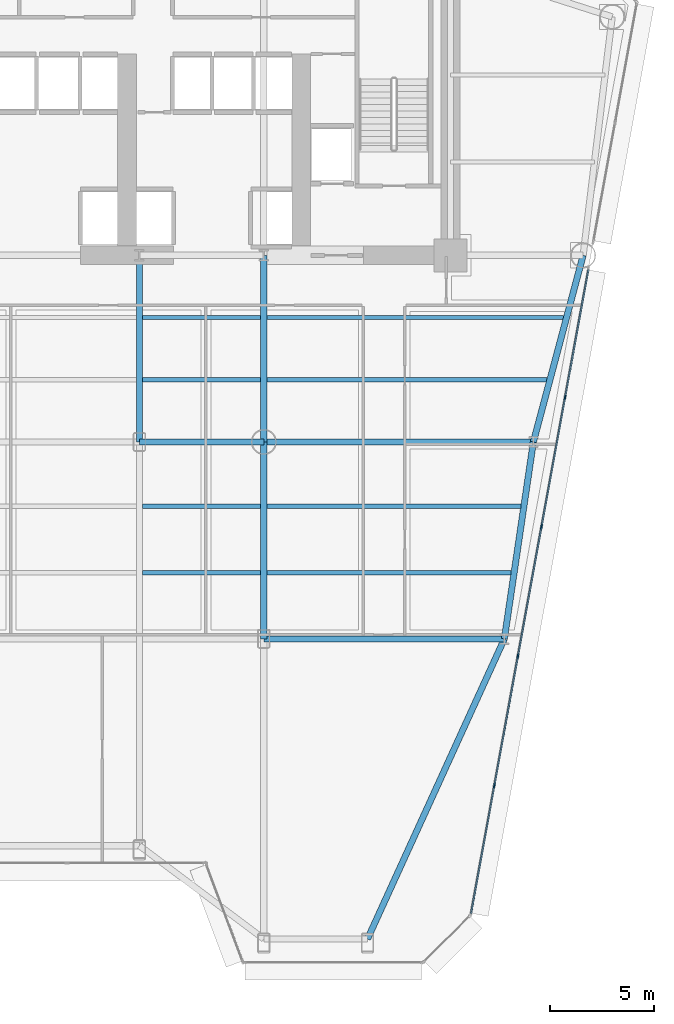
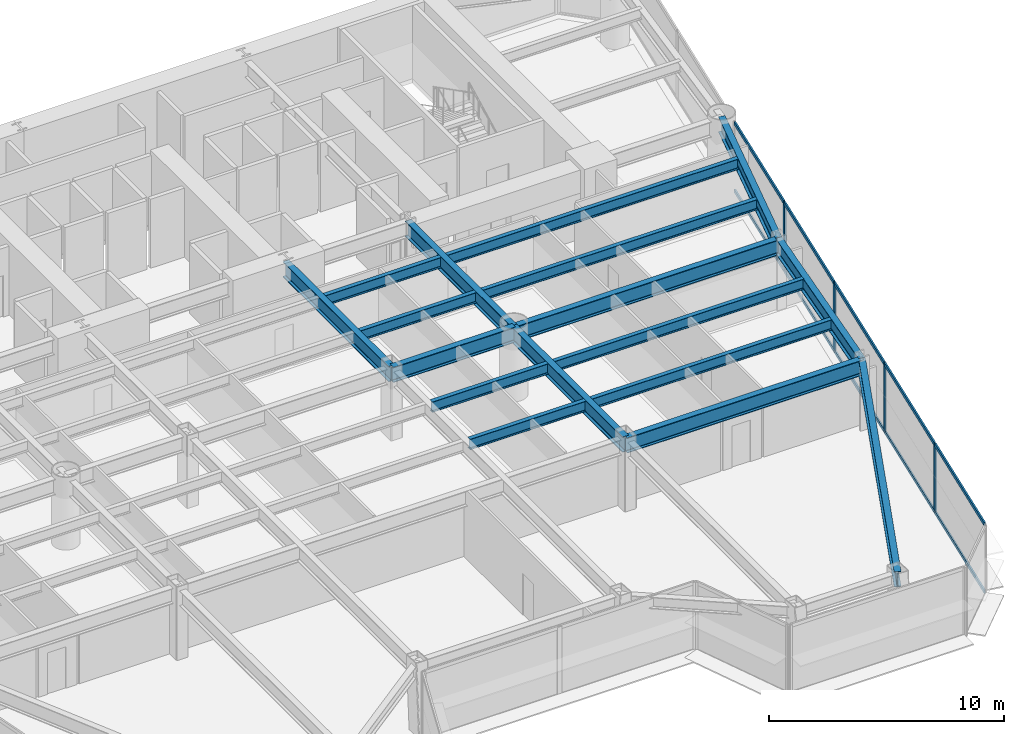
# One storey, part 4 of 14: 17 beams, 14 members, 1 element without a shape of its own.
"""IFC4 building model written with IfcOpenShell, lengths in metres."""

import ifcopenshell
import ifcopenshell.guid

model = None  # the IFC model being written
_history = None  # IfcOwnerHistory: only IFC2X3 demands one
_inside = {}  # id of a spatial element -> (the spatial element, [elements in it])
_under = {}  # id of a project, library or spatial element -> (it, [spatial elements below it])
_declared = {}  # id of a project -> (the project, [libraries it declares])
_typed = {}  # id of a type object -> (the type object, [elements of that type])
_made_of = {}  # id of a material, layer set ... -> (it, [elements and type objects made of it])


def new_model(schema):
    """Start an empty IFC model of exactly this schema.

    Asked for "IFC4X3", IfcOpenShell would pick the latest addendum, in which some entities
    have other attributes; the version numbers below select the first issue.
    IFC2X3 requires an IfcOwnerHistory on every rooted entity: one is made here for all.
    """
    global model, _history
    if schema == "IFC4X3":
        model = ifcopenshell.file(schema_version=(4, 3, 0, 0))
    else:
        model = ifcopenshell.file(schema=schema)
    _inside.clear()
    _under.clear()
    _declared.clear()
    _typed.clear()
    _made_of.clear()
    _history = None
    if model.schema == "IFC2X3":
        org = make("IfcOrganization", Name="unknown")
        user = make(
            "IfcPersonAndOrganization",
            ThePerson=make("IfcPerson", FamilyName="unknown"),
            TheOrganization=org,
        )
        app = make(
            "IfcApplication",
            ApplicationDeveloper=org,
            Version="unknown",
            ApplicationFullName="unknown",
            ApplicationIdentifier="unknown",
        )
        _history = make(
            "IfcOwnerHistory",
            OwningUser=user,
            OwningApplication=app,
            ChangeAction="ADDED",
            CreationDate=0,
        )
    return model


def make(cls, **values):
    """One entity of the class cls with the attributes given. An attribute that is None is left unset."""
    return model.create_entity(
        cls, **{name: value for name, value in values.items() if value is not None}
    )


def rooted(cls, **values):
    """An entity with a GlobalId (a new one), such as an element, a storey or a relation."""
    return make(cls, GlobalId=ifcopenshell.guid.new(), OwnerHistory=_history, **values)


def si_unit(unit_type, name, prefix=None):
    """IfcSIUnit, for example si_unit("LENGTHUNIT", "METRE", prefix="MILLI")."""
    return make("IfcSIUnit", UnitType=unit_type, Prefix=prefix, Name=name)


def assignment(units):
    """IfcUnitAssignment: the units of a project."""
    return None if units is None else make("IfcUnitAssignment", Units=units)


def point(xyz):
    """IfcCartesianPoint."""
    return None if xyz is None else make("IfcCartesianPoint", Coordinates=xyz)


def direction(xyz):
    """IfcDirection."""
    return None if xyz is None else make("IfcDirection", DirectionRatios=xyz)


def frame(location, z_axis=None, x_axis=None):
    """IfcAxis2Placement3D, a coordinate frame: its origin and axes. An axis left out is left unset."""
    return make(
        "IfcAxis2Placement3D",
        Location=point(location),
        Axis=direction(z_axis),
        RefDirection=direction(x_axis),
    )


def frame_2d(location, x_axis=None):
    """IfcAxis2Placement2D, a coordinate frame in the plane: its origin and x axis."""
    return make(
        "IfcAxis2Placement2D", Location=point(location), RefDirection=direction(x_axis)
    )


def origin():
    """The frame at (0, 0, 0) with its axes left unset."""
    return frame((0.0, 0.0, 0.0))


def origin_2d():
    """The frame at (0, 0) in the plane with its x axis left unset."""
    return frame_2d((0.0, 0.0))


def place(relative_to, where):
    """IfcLocalPlacement: puts the frame where relative to a parent placement (None: the world)."""
    return make(
        "IfcLocalPlacement", PlacementRelTo=relative_to, RelativePlacement=where
    )


def context(
    kind, dimensions, precision=None, world=None, true_north=None, identifier=None
):
    """IfcGeometricRepresentationContext, for example the 3D "Model" context."""
    return make(
        "IfcGeometricRepresentationContext",
        ContextIdentifier=identifier,
        ContextType=kind,
        CoordinateSpaceDimension=dimensions,
        Precision=precision,
        WorldCoordinateSystem=world,
        TrueNorth=true_north,
    )


def subcontext(parent, identifier, kind, view, scale=None):
    """IfcGeometricRepresentationSubContext, for example "Body" below "Model"."""
    return make(
        "IfcGeometricRepresentationSubContext",
        ContextIdentifier=identifier,
        ContextType=kind,
        ParentContext=parent,
        TargetScale=scale,
        TargetView=view,
    )


def project(units=None, contexts=None):
    """IfcProject with its units and contexts."""
    return rooted(
        "IfcProject",
        Name="project",
        RepresentationContexts=contexts,
        UnitsInContext=assignment(units),
    )


def spatial(cls, under=None, at=None, **own):
    """A site, building, storey or space (cls), placed at a placement, below another one or the project."""
    s = rooted(cls, ObjectPlacement=at, **own)
    if under is not None:
        _under.setdefault(under.id(), (under, []))[1].append(s)
    return s


def profile(cls, at=None, kind="AREA", **sizes):
    """A parametric profile (cls). Its sizes go by their IFC names, for example OverallWidth=200.0."""
    return make(cls, ProfileType=kind, Position=at, **sizes)


def rectangle(**sizes):
    """IfcRectangleProfileDef."""
    return profile("IfcRectangleProfileDef", **sizes)


def i_section(**sizes):
    """IfcIShapeProfileDef."""
    return profile("IfcIShapeProfileDef", **sizes)


def extrude(swept, where, along, depth):
    """IfcExtrudedAreaSolid: the profile swept, set in the frame where, extruded along a direction by depth."""
    return make(
        "IfcExtrudedAreaSolid",
        SweptArea=swept,
        Position=where,
        ExtrudedDirection=direction(along),
        Depth=depth,
    )


def shape(context_of_items, identifier, shape_type, items):
    """IfcShapeRepresentation: the items that make up one representation, for example the "Body"."""
    return make(
        "IfcShapeRepresentation",
        ContextOfItems=context_of_items,
        RepresentationIdentifier=identifier,
        RepresentationType=shape_type,
        Items=items,
    )


def source(mapping_origin, context_of_items, identifier, shape_type, items):
    """IfcRepresentationMap: a shape defined once, which mapped items show again and again."""
    return make(
        "IfcRepresentationMap",
        MappingOrigin=mapping_origin,
        MappedRepresentation=shape(context_of_items, identifier, shape_type, items),
    )


def transform(
    local_origin,
    x_axis=None,
    y_axis=None,
    z_axis=None,
    scale=None,
    scale2=None,
    scale3=None,
    uniform=True,
):
    """IfcCartesianTransformationOperator3D, or its non-uniform kind. x_axis, y_axis, z_axis: its Axis1, 2, 3."""
    if uniform:
        return make(
            "IfcCartesianTransformationOperator3D",
            Axis1=direction(x_axis),
            Axis2=direction(y_axis),
            LocalOrigin=point(local_origin),
            Scale=scale,
            Axis3=direction(z_axis),
        )
    return make(
        "IfcCartesianTransformationOperator3DnonUniform",
        Axis1=direction(x_axis),
        Axis2=direction(y_axis),
        LocalOrigin=point(local_origin),
        Scale=scale,
        Axis3=direction(z_axis),
        Scale2=scale2,
        Scale3=scale3,
    )


def mapped(mapping_source, mapping_target):
    """IfcMappedItem: shows the shape of a source again, moved by a transform."""
    return make(
        "IfcMappedItem", MappingSource=mapping_source, MappingTarget=mapping_target
    )


def material(Name=None, Category=None):
    """IfcMaterial."""
    return make("IfcMaterial", Name=Name, Category=Category)


def layer(
    of_material, thickness, ventilated=None, Name=None, Category=None, Priority=None
):
    """IfcMaterialLayer: one layer of a wall or slab, of a material (None: an air gap)."""
    return make(
        "IfcMaterialLayer",
        Material=of_material,
        LayerThickness=thickness,
        IsVentilated=ventilated,
        Name=Name,
        Category=Category,
        Priority=Priority,
    )


def layer_set(layers, Name=None):
    """IfcMaterialLayerSet."""
    return make("IfcMaterialLayerSet", MaterialLayers=layers, LayerSetName=Name)


def material_profile(
    of_material, cross_section, Name=None, Category=None, Priority=None
):
    """IfcMaterialProfile: a cross section and its material."""
    return make(
        "IfcMaterialProfile",
        Name=Name,
        Material=of_material,
        Profile=cross_section,
        Priority=Priority,
        Category=Category,
    )


def profile_set(profiles, Name=None, composite=None):
    """IfcMaterialProfileSet."""
    return make(
        "IfcMaterialProfileSet",
        Name=Name,
        MaterialProfiles=profiles,
        CompositeProfile=composite,
    )


def made_of(thing, what):
    """Note that an element or type object is made of a material, layer set ...; save() writes the relation."""
    if what is not None:
        _made_of.setdefault(what.id(), (what, []))[1].append(thing)
    return thing


def type_object(cls, material=None, **own):
    """A type object (cls), such as IfcWallType, which elements share."""
    return made_of(rooted(cls, **own), material)


def element(
    cls,
    number,
    at=None,
    inside=None,
    cuts=None,
    type_object=None,
    material=None,
    context=None,
    identifier="Body",
    shape_type=None,
    held_by="IfcProductDefinitionShape",
    body=None,
    shapes=None,
    **own,
):
    """One element of the class cls, such as IfcWall. Its Tag is "e" and its number.

    at: its placement. inside: the storey or other place that contains it. cuts: it is an
    opening in that element (IfcRelVoidsElement). A single representation is given by context,
    identifier, shape_type and body (its items); several are given by shapes. held_by: the class
    of the entity that holds the representations. save() writes the other relations.
    """
    e = rooted(cls, Tag="e%d" % number, ObjectPlacement=at, **own)
    if body is not None:
        shapes = [shape(context, identifier, shape_type, body)]
    if shapes is not None:
        e.Representation = make(held_by, Representations=shapes)
    if inside is not None:
        _inside.setdefault(inside.id(), (inside, []))[1].append(e)
    if cuts is not None:
        rooted(
            "IfcRelVoidsElement", RelatingBuildingElement=cuts, RelatedOpeningElement=e
        )
    if type_object is not None:
        _typed.setdefault(type_object.id(), (type_object, []))[1].append(e)
    return made_of(e, material)


def aggregate(whole, parts):
    """IfcRelAggregates: a whole, such as a stair, and the parts it consists of."""
    return rooted("IfcRelAggregates", RelatingObject=whole, RelatedObjects=parts)


def save(model, path):
    """Write the relations noted so far, then the file.

    IfcRelAggregates (storeys below a building ...), IfcRelContainedInSpatialStructure (elements
    in a storey), IfcRelDefinesByType, IfcRelAssociatesMaterial and IfcRelDeclares: one each for
    every whole, place, type object, material and project.
    """
    for whole, parts in _under.values():
        aggregate(whole, parts)
    for where, things in _inside.values():
        rooted(
            "IfcRelContainedInSpatialStructure",
            RelatedElements=things,
            RelatingStructure=where,
        )
    for kind, things in _typed.values():
        rooted("IfcRelDefinesByType", RelatedObjects=things, RelatingType=kind)
    for what, things in _made_of.values():
        rooted("IfcRelAssociatesMaterial", RelatedObjects=things, RelatingMaterial=what)
    for by, libraries in _declared.values():
        rooted("IfcRelDeclares", RelatingContext=by, RelatedDefinitions=libraries)
    model.write(path)


model = new_model("IFC4")

# Units and contexts
model_context = context("Model", 3, precision=1e-05, world=origin(), true_north=direction((0.0, 1.0)))
body_context = subcontext(model_context, "Body", "Model", "MODEL_VIEW")
ifc_project = project(units=[si_unit("LENGTHUNIT", "METRE"), si_unit("AREAUNIT", "SQUARE_METRE"), si_unit("VOLUMEUNIT", "CUBIC_METRE"), si_unit("PLANEANGLEUNIT", "RADIAN"), si_unit("MASSUNIT", "GRAM", prefix="KILO")], contexts=[model_context])

# Site, building, storey
site_placement = place(None, origin())
site = spatial("IfcSite", under=ifc_project, at=site_placement, CompositionType="ELEMENT")
building_placement = place(site_placement, origin())
building = spatial("IfcBuilding", under=site, at=building_placement, Name="Vaeldorn Concourse Tower", CompositionType="ELEMENT")
storey_placement = place(building_placement, frame((0.0, 0.0, 56.800048828125)))
storey = spatial("IfcBuildingStorey", under=building, at=storey_placement, Name="L14", CompositionType="ELEMENT", Elevation=56.800048828125)

# Beams
ifc_material_1 = material(Name="Steel S355", Category="steel")
ifc_material_profile_1 = material_profile(ifc_material_1, i_section(OverallWidth=0.300048828125, OverallDepth=0.800048828125, WebThickness=0.017578125, FlangeThickness=0.032958984375, FilletRadius=0.030029296875, at=origin_2d()), Name="HEB 800")
ifc_profile_set_1 = profile_set([ifc_material_profile_1], Name="Steel S355")
beam_type_1 = type_object("IfcBeamType", Name="BM-PG-HEB800", PredefinedType="BEAM", material=ifc_profile_set_1)
shared_shape_1 = source(origin(), body_context, "Body", "SweptSolid", [
    extrude(i_section(OverallWidth=0.300048828125, OverallDepth=0.800048828125, WebThickness=0.017578125, FlangeThickness=0.032958984375, FilletRadius=0.030029296875, at=origin_2d()), origin(), (0.0, 0.0, 1.0), 6.0),
])
beam_1_placement = place(storey_placement, frame((39.0, 27.5, 3.179931640625), z_axis=(1.0, 0.0, 0.0), x_axis=(0.0, 1.0, 0.0)))
element("IfcBeam", 1, at=beam_1_placement, inside=storey, type_object=beam_type_1, Name="Beam BM-L14-C-TW3-C-TW4", PredefinedType="BEAM", context=body_context, shape_type="MappedRepresentation", body=[
    mapped(shared_shape_1, transform((0.0, 0.0, 0.0), scale=1.0)),
])
shared_shape_2 = source(origin(), body_context, "Body", "SweptSolid", [
    extrude(i_section(OverallWidth=0.300048828125, OverallDepth=0.800048828125, WebThickness=0.017578125, FlangeThickness=0.032958984375, FilletRadius=0.030029296875, at=origin_2d()), origin(), (0.0, 0.0, 1.0), 9.0),
])
for number, where, z_axis, x_axis, name in (
    (2, (39.0, 27.5, 3.179931640625), (0.0, 1.0, 0.0), (-1.0, 0.0, 0.0), "Beam BM-L14-C-TW3-C-FC4"),
    (3, (45.0, 27.5, 3.179931640625), (0.0, 1.0, 0.0), (-1.0, 0.0, 0.0), "Beam BM-L14-C-TW4-C-FC5"),
):
    element("IfcBeam", number, at=place(storey_placement, frame(where, z_axis=z_axis, x_axis=x_axis)), inside=storey, type_object=beam_type_1, Name=name, PredefinedType="BEAM", context=body_context, shape_type="MappedRepresentation", body=[
        mapped(shared_shape_2, transform((0.0, 0.0, 0.0), scale=1.0)),
    ])
shared_shape_3 = source(origin(), body_context, "Body", "SweptSolid", [
    extrude(i_section(OverallWidth=0.300048828125, OverallDepth=0.800048828125, WebThickness=0.017578125, FlangeThickness=0.032958984375, FilletRadius=0.030029296875, at=origin_2d()), origin(), (0.0, 0.0, 1.0), 9.314453125),
])
beam_2_placement = place(storey_placement, frame((60.39990234375, 36.5, 3.179931640625), z_axis=(-0.257652862255, -0.966237549763, 0.0), x_axis=(0.966237549763, -0.257652862255, 0.0)))
element("IfcBeam", 4, at=beam_2_placement, inside=storey, type_object=beam_type_1, Name="Beam BM-L14-C-NE2-C-FLE1", PredefinedType="BEAM", context=body_context, shape_type="MappedRepresentation", body=[
    mapped(shared_shape_3, transform((0.0, 0.0, 0.0), scale=1.0)),
])
shared_shape_4 = source(origin(), body_context, "Body", "SweptSolid", [
    extrude(i_section(OverallWidth=0.300048828125, OverallDepth=0.800048828125, WebThickness=0.017578125, FlangeThickness=0.032958984375, FilletRadius=0.030029296875, at=origin_2d()), origin(), (0.0, 0.0, 1.0), 13.0),
])
beam_3_placement = place(storey_placement, frame((45.0, 27.5, 3.179931640625), z_axis=(1.0, 0.0, 0.0), x_axis=(0.0, 1.0, 0.0)))
element("IfcBeam", 5, at=beam_3_placement, inside=storey, type_object=beam_type_1, Name="Beam BM-L14-C-TW4-C-FLE1", PredefinedType="BEAM", context=body_context, shape_type="MappedRepresentation", body=[
    mapped(shared_shape_4, transform((0.0, 0.0, 0.0), scale=1.0)),
])
shared_shape_5 = source(origin(), body_context, "Body", "SweptSolid", [
    extrude(i_section(OverallWidth=0.300048828125, OverallDepth=0.800048828125, WebThickness=0.017578125, FlangeThickness=0.032958984375, FilletRadius=0.030029296875, at=origin_2d()), origin(), (0.0, 0.0, 1.0), 9.6025390625),
])
beam_4_placement = place(storey_placement, frame((58.0, 27.5, 3.179931640625), z_axis=(-0.145783835977, -0.989316467652, 0.0), x_axis=(0.989316467652, -0.145783835977, 0.0)))
element("IfcBeam", 6, at=beam_4_placement, inside=storey, type_object=beam_type_1, Name="Beam BM-L14-C-FLE1-C-FLE2", PredefinedType="BEAM", context=body_context, shape_type="MappedRepresentation", body=[
    mapped(shared_shape_5, transform((0.0, 0.0, 0.0), scale=1.0)),
])
shared_shape_6 = source(origin(), body_context, "Body", "SweptSolid", [
    extrude(i_section(OverallWidth=0.300048828125, OverallDepth=0.800048828125, WebThickness=0.017578125, FlangeThickness=0.032958984375, FilletRadius=0.030029296875, at=origin_2d()), origin(), (0.0, 0.0, 1.0), 11.60009765625),
])
beam_5_placement = place(storey_placement, frame((45.0, 18.0, 3.179931640625), z_axis=(1.0, 0.0, 0.0), x_axis=(0.0, 1.0, 0.0)))
element("IfcBeam", 7, at=beam_5_placement, inside=storey, type_object=beam_type_1, Name="Beam BM-L14-C-TW6-C-FLE2", PredefinedType="BEAM", context=body_context, shape_type="MappedRepresentation", body=[
    mapped(shared_shape_6, transform((0.0, 0.0, 0.0), scale=1.0)),
])
shared_shape_7 = source(origin(), body_context, "Body", "SweptSolid", [
    extrude(i_section(OverallWidth=0.300048828125, OverallDepth=0.800048828125, WebThickness=0.017578125, FlangeThickness=0.032958984375, FilletRadius=0.030029296875, at=origin_2d()), origin(), (0.0, 0.0, 1.0), 9.5),
])
beam_6_placement = place(storey_placement, frame((45.0, 18.0, 3.179931640625), z_axis=(0.0, 1.0, 0.0), x_axis=(-1.0, 0.0, 0.0)))
element("IfcBeam", 8, at=beam_6_placement, inside=storey, type_object=beam_type_1, Name="Beam BM-L14-C-TW6-C-TW4", PredefinedType="BEAM", context=body_context, shape_type="MappedRepresentation", body=[
    mapped(shared_shape_7, transform((0.0, 0.0, 0.0), scale=1.0)),
])
ifc_material_profile_2 = material_profile(ifc_material_1, i_section(OverallWidth=0.2099609375, OverallDepth=0.550048828125, WebThickness=0.010986328125, FlangeThickness=0.01708984375, FilletRadius=0.02392578125, at=origin_2d()), Name="IPE 550")
ifc_profile_set_2 = profile_set([ifc_material_profile_2], Name="Steel S355")
beam_type_2 = type_object("IfcBeamType", Name="BM-JS-IPE550", PredefinedType="JOIST", material=ifc_profile_set_2)
shared_shape_8 = source(origin(), body_context, "Body", "SweptSolid", [
    extrude(i_section(OverallWidth=0.2099609375, OverallDepth=0.550048828125, WebThickness=0.010986328125, FlangeThickness=0.01708984375, FilletRadius=0.02392578125, at=origin_2d()), origin(), (0.0, 0.0, 1.0), 11.771728515625),
])
beam_7_placement = place(storey_placement, frame((45.14990234375, 21.199951171875, 3.304931640625), z_axis=(1.0, 0.0, 0.0), x_axis=(0.0, 1.0, 0.0)))
element("IfcBeam", 9, at=beam_7_placement, inside=storey, type_object=beam_type_2, Name="Beam JS-L14-E1-212", PredefinedType="JOIST", context=body_context, shape_type="MappedRepresentation", body=[
    mapped(shared_shape_8, transform((0.0, 0.0, 0.0), scale=1.0)),
])
shared_shape_9 = source(origin(), body_context, "Body", "SweptSolid", [
    extrude(i_section(OverallWidth=0.2099609375, OverallDepth=0.550048828125, WebThickness=0.010986328125, FlangeThickness=0.01708984375, FilletRadius=0.02392578125, at=origin_2d()), origin(), (0.0, 0.0, 1.0), 5.7001953125),
])
for number, where, z_axis, x_axis, name in (
    (10, (39.14990234375, 21.199951171875, 3.304931640625), (1.0, 0.0, 0.0), (0.0, 1.0, 0.0), "Beam JS-L14-E2-212"),
    (11, (39.14990234375, 24.39990234375, 3.304931640625), (1.0, 0.0, 0.0), (0.0, 1.0, 0.0), "Beam JS-L14-E2-244"),
    (12, (39.14990234375, 30.5, 3.304931640625), (1.0, 0.0, 0.0), (0.0, 1.0, 0.0), "Beam JS-L14-E2-305"),
    (13, (39.14990234375, 33.5, 3.304931640625), (1.0, 0.0, 0.0), (0.0, 1.0, 0.0), "Beam JS-L14-E2-335"),
):
    element("IfcBeam", number, at=place(storey_placement, frame(where, z_axis=z_axis, x_axis=x_axis)), inside=storey, type_object=beam_type_2, Name=name, PredefinedType="JOIST", context=body_context, shape_type="MappedRepresentation", body=[
        mapped(shared_shape_9, transform((0.0, 0.0, 0.0), scale=1.0)),
    ])
shared_shape_10 = source(origin(), body_context, "Body", "SweptSolid", [
    extrude(i_section(OverallWidth=0.2099609375, OverallDepth=0.550048828125, WebThickness=0.010986328125, FlangeThickness=0.01708984375, FilletRadius=0.02392578125, at=origin_2d()), origin(), (0.0, 0.0, 1.0), 12.243408203125),
])
beam_8_placement = place(storey_placement, frame((45.14990234375, 24.39990234375, 3.304931640625), z_axis=(1.0, 0.0, 0.0), x_axis=(0.0, 1.0, 0.0)))
element("IfcBeam", 14, at=beam_8_placement, inside=storey, type_object=beam_type_2, Name="Beam JS-L14-E1-244", PredefinedType="JOIST", context=body_context, shape_type="MappedRepresentation", body=[
    mapped(shared_shape_10, transform((0.0, 0.0, 0.0), scale=1.0)),
])
shared_shape_11 = source(origin(), body_context, "Body", "SweptSolid", [
    extrude(i_section(OverallWidth=0.2099609375, OverallDepth=0.550048828125, WebThickness=0.010986328125, FlangeThickness=0.01708984375, FilletRadius=0.02392578125, at=origin_2d()), origin(), (0.0, 0.0, 1.0), 13.5),
])
beam_9_placement = place(storey_placement, frame((45.14990234375, 30.5, 3.304931640625), z_axis=(1.0, 0.0, 0.0), x_axis=(0.0, 1.0, 0.0)))
element("IfcBeam", 15, at=beam_9_placement, inside=storey, type_object=beam_type_2, Name="Beam JS-L14-E1-305", PredefinedType="JOIST", context=body_context, shape_type="MappedRepresentation", body=[
    mapped(shared_shape_11, transform((0.0, 0.0, 0.0), scale=1.0)),
])
shared_shape_12 = source(origin(), body_context, "Body", "SweptSolid", [
    extrude(i_section(OverallWidth=0.2099609375, OverallDepth=0.550048828125, WebThickness=0.010986328125, FlangeThickness=0.01708984375, FilletRadius=0.02392578125, at=origin_2d()), origin(), (0.0, 0.0, 1.0), 14.300048828125),
])
beam_10_placement = place(storey_placement, frame((45.14990234375, 33.5, 3.304931640625), z_axis=(1.0, 0.0, 0.0), x_axis=(0.0, 1.0, 0.0)))
element("IfcBeam", 16, at=beam_10_placement, inside=storey, type_object=beam_type_2, Name="Beam JS-L14-E1-335", PredefinedType="JOIST", context=body_context, shape_type="MappedRepresentation", body=[
    mapped(shared_shape_12, transform((0.0, 0.0, 0.0), scale=1.0)),
])
shared_shape_13 = source(origin(), body_context, "Body", "SweptSolid", [
    extrude(i_section(OverallWidth=0.300048828125, OverallDepth=0.800048828125, WebThickness=0.017578125, FlangeThickness=0.032958984375, FilletRadius=0.030029296875, at=origin_2d()), origin(), (0.0, 0.0, 1.0), 15.904296875),
])
beam_11_placement = place(storey_placement, frame((50.0, 3.52978515625, 3.179931640625), z_axis=(0.414986899968, 0.909827386296, 0.0), x_axis=(-0.909827386296, 0.414986899968, 0.0)))
element("IfcBeam", 17, at=beam_11_placement, inside=storey, type_object=beam_type_1, Name="Beam BM-L14-C-SF6-C-FLE2", PredefinedType="BEAM", context=body_context, shape_type="MappedRepresentation", body=[
    mapped(shared_shape_13, transform((0.0, 0.0, 0.0), scale=1.0)),
])

# Curtain wall, members
ifc_material_2 = material(Name="Anodised Bronze Aluminium", Category="aluminium")
ifc_layer = layer(ifc_material_2, 0.219970703125)
ifc_layer_set = layer_set([ifc_layer], Name="Anodised Bronze Aluminium")
curtain_wall_type = type_object("IfcCurtainWallType", Name="CW-SYS-01", PredefinedType="NOTDEFINED", material=ifc_layer_set)
curtain_wall_placement = place(storey_placement, origin())
curtain_wall = element("IfcCurtainWall", 18, at=curtain_wall_placement, inside=storey, type_object=curtain_wall_type, Name="Unitised Curtain Wall CW-L14-E07-1", PredefinedType="NOTDEFINED")
ifc_material_profile_3 = material_profile(ifc_material_2, rectangle(XDim=0.074951171875, YDim=0.219970703125, at=origin_2d()), Name="CWM 75x220")
ifc_profile_set_3 = profile_set([ifc_material_profile_3], Name="Anodised Bronze Aluminium")
member_type_1 = type_object("IfcMemberType", Name="CWM-BRONZE-220", PredefinedType="MULLION", material=ifc_profile_set_3)
shared_shape_14 = source(origin(), body_context, "Body", "SweptSolid", [
    extrude(rectangle(XDim=0.074951171875, YDim=0.219970703125, at=origin_2d()), origin(), (0.0, 0.0, 1.0), 3.579833984375),
])
member_1_placement = place(storey_placement, frame((56.116455078125, 10.9287109375, 0.0), z_axis=(0.0, 0.0, 1.0), x_axis=(-0.9837957391, 0.179292899269, 0.0)))
member_1 = element("IfcMember", 19, at=member_1_placement, type_object=member_type_1, Name="CW-01 mullion 2", PredefinedType="MULLION", context=body_context, shape_type="MappedRepresentation", body=[
    mapped(shared_shape_14, transform((0.0, 0.0, 0.0), scale=1.0)),
])
member_2_placement = place(storey_placement, frame((57.253173828125, 17.166748046875, 0.0), z_axis=(0.0, 0.0, 1.0), x_axis=(-0.9837957391, 0.179292899269, 0.0)))
member_2 = element("IfcMember", 20, at=member_2_placement, type_object=member_type_1, Name="CW-01 mullion 3", PredefinedType="MULLION", context=body_context, shape_type="MappedRepresentation", body=[
    mapped(shared_shape_14, transform((0.0, 0.0, 0.0), scale=1.0)),
])
member_3_placement = place(storey_placement, frame((58.39013671875, 23.404541015625, 0.0), z_axis=(0.0, 0.0, 1.0), x_axis=(-0.9837957391, 0.179292899269, 0.0)))
member_3 = element("IfcMember", 21, at=member_3_placement, type_object=member_type_1, Name="CW-01 mullion 4", PredefinedType="MULLION", context=body_context, shape_type="MappedRepresentation", body=[
    mapped(shared_shape_14, transform((0.0, 0.0, 0.0), scale=1.0)),
])
member_4_placement = place(storey_placement, frame((59.52685546875, 29.642578125, 0.0), z_axis=(0.0, 0.0, 1.0), x_axis=(-0.9837957391, 0.179292899269, 0.0)))
member_4 = element("IfcMember", 22, at=member_4_placement, type_object=member_type_1, Name="CW-01 mullion 5", PredefinedType="MULLION", context=body_context, shape_type="MappedRepresentation", body=[
    mapped(shared_shape_14, transform((0.0, 0.0, 0.0), scale=1.0)),
])
ifc_material_profile_4 = material_profile(ifc_material_2, rectangle(XDim=0.074951171875, YDim=0.179931640625, at=origin_2d()), Name="CWT 75x180")
ifc_profile_set_4 = profile_set([ifc_material_profile_4], Name="Anodised Bronze Aluminium")
member_type_2 = type_object("IfcMemberType", Name="CWT-BRONZE-180", PredefinedType="USERDEFINED", material=ifc_profile_set_4)
shared_shape_15 = source(origin(), body_context, "Body", "SweptSolid", [
    extrude(rectangle(XDim=0.074951171875, YDim=0.179931640625, at=origin_2d()), origin(), (0.0, 0.0, 1.0), 6.22802734375),
])
member_5_placement = place(storey_placement, frame((54.992919921875, 4.7646484375, 0.037353515625), z_axis=(0.179299371068, 0.983794559618, 0.0), x_axis=(-0.983794559618, 0.179299371068, 0.0)))
member_5 = element("IfcMember", 23, at=member_5_placement, type_object=member_type_2, Name="CW-01 transom 1.1", ObjectType="TRANSOM", PredefinedType="USERDEFINED", context=body_context, shape_type="MappedRepresentation", body=[
    mapped(shared_shape_15, transform((0.0, 0.0, 0.0), scale=1.0)),
])
member_6_placement = place(storey_placement, frame((54.992919921875, 4.7646484375, 3.54248046875), z_axis=(0.179299371068, 0.983794559618, 0.0), x_axis=(-0.983794559618, 0.179299371068, 0.0)))
member_6 = element("IfcMember", 24, at=member_6_placement, type_object=member_type_2, Name="CW-01 transom 1.2", ObjectType="TRANSOM", PredefinedType="USERDEFINED", context=body_context, shape_type="MappedRepresentation", body=[
    mapped(shared_shape_15, transform((0.0, 0.0, 0.0), scale=1.0)),
])
member_7_placement = place(storey_placement, frame((59.53369140625, 29.679443359375, 0.037353515625), z_axis=(0.179261431182, 0.983801473515, 0.0), x_axis=(-0.983801473515, 0.179261431182, 0.0)))
member_7 = element("IfcMember", 25, at=member_7_placement, type_object=member_type_2, Name="CW-01 transom 5.1", ObjectType="TRANSOM", PredefinedType="USERDEFINED", context=body_context, shape_type="MappedRepresentation", body=[
    mapped(shared_shape_15, transform((0.0, 0.0, 0.0), scale=1.0)),
])
member_8_placement = place(storey_placement, frame((59.53369140625, 29.679443359375, 3.54248046875), z_axis=(0.179261431182, 0.983801473515, 0.0), x_axis=(-0.983801473515, 0.179261431182, 0.0)))
member_8 = element("IfcMember", 26, at=member_8_placement, type_object=member_type_2, Name="CW-01 transom 5.2", ObjectType="TRANSOM", PredefinedType="USERDEFINED", context=body_context, shape_type="MappedRepresentation", body=[
    mapped(shared_shape_15, transform((0.0, 0.0, 0.0), scale=1.0)),
])
shared_shape_16 = source(origin(), body_context, "Body", "SweptSolid", [
    extrude(rectangle(XDim=0.074951171875, YDim=0.179931640625, at=origin_2d()), origin(), (0.0, 0.0, 1.0), 6.265869140625),
])
member_9_placement = place(storey_placement, frame((56.123046875, 10.965576171875, 0.037353515625), z_axis=(0.179272881301, 0.983799387086, 0.0), x_axis=(-0.983799387086, 0.179272881301, 0.0)))
member_9 = element("IfcMember", 27, at=member_9_placement, type_object=member_type_2, Name="CW-01 transom 2.1", ObjectType="TRANSOM", PredefinedType="USERDEFINED", context=body_context, shape_type="MappedRepresentation", body=[
    mapped(shared_shape_16, transform((0.0, 0.0, 0.0), scale=1.0)),
])
member_10_placement = place(storey_placement, frame((56.123046875, 10.965576171875, 3.54248046875), z_axis=(0.179272881301, 0.983799387086, 0.0), x_axis=(-0.983799387086, 0.179272881301, 0.0)))
member_10 = element("IfcMember", 28, at=member_10_placement, type_object=member_type_2, Name="CW-01 transom 2.2", ObjectType="TRANSOM", PredefinedType="USERDEFINED", context=body_context, shape_type="MappedRepresentation", body=[
    mapped(shared_shape_16, transform((0.0, 0.0, 0.0), scale=1.0)),
])
member_11_placement = place(storey_placement, frame((58.396728515625, 23.44140625, 0.037353515625), z_axis=(0.179272881301, 0.983799387086, 0.0), x_axis=(-0.983799387086, 0.179272881301, 0.0)))
member_11 = element("IfcMember", 29, at=member_11_placement, type_object=member_type_2, Name="CW-01 transom 4.1", ObjectType="TRANSOM", PredefinedType="USERDEFINED", context=body_context, shape_type="MappedRepresentation", body=[
    mapped(shared_shape_16, transform((0.0, 0.0, 0.0), scale=1.0)),
])
member_12_placement = place(storey_placement, frame((58.396728515625, 23.44140625, 3.54248046875), z_axis=(0.179272881301, 0.983799387086, 0.0), x_axis=(-0.983799387086, 0.179272881301, 0.0)))
member_12 = element("IfcMember", 30, at=member_12_placement, type_object=member_type_2, Name="CW-01 transom 4.2", ObjectType="TRANSOM", PredefinedType="USERDEFINED", context=body_context, shape_type="MappedRepresentation", body=[
    mapped(shared_shape_16, transform((0.0, 0.0, 0.0), scale=1.0)),
])
shared_shape_17 = source(origin(), body_context, "Body", "SweptSolid", [
    extrude(rectangle(XDim=0.074951171875, YDim=0.179931640625, at=origin_2d()), origin(), (0.0, 0.0, 1.0), 6.265625),
])
member_13_placement = place(storey_placement, frame((57.260009765625, 17.20361328125, 0.037353515625), z_axis=(0.179279753566, 0.983798134762, 0.0), x_axis=(-0.983798134762, 0.179279753566, 0.0)))
member_13 = element("IfcMember", 31, at=member_13_placement, type_object=member_type_2, Name="CW-01 transom 3.1", ObjectType="TRANSOM", PredefinedType="USERDEFINED", context=body_context, shape_type="MappedRepresentation", body=[
    mapped(shared_shape_17, transform((0.0, 0.0, 0.0), scale=1.0)),
])
member_14_placement = place(storey_placement, frame((57.260009765625, 17.20361328125, 3.54248046875), z_axis=(0.179279753566, 0.983798134762, 0.0), x_axis=(-0.983798134762, 0.179279753566, 0.0)))
member_14 = element("IfcMember", 32, at=member_14_placement, type_object=member_type_2, Name="CW-01 transom 3.2", ObjectType="TRANSOM", PredefinedType="USERDEFINED", context=body_context, shape_type="MappedRepresentation", body=[
    mapped(shared_shape_17, transform((0.0, 0.0, 0.0), scale=1.0)),
])
aggregate(curtain_wall, [member_1, member_2, member_3, member_4, member_5, member_6, member_9, member_10, member_13, member_14, member_11, member_12, member_7, member_8])

save(model, "model.ifc")
